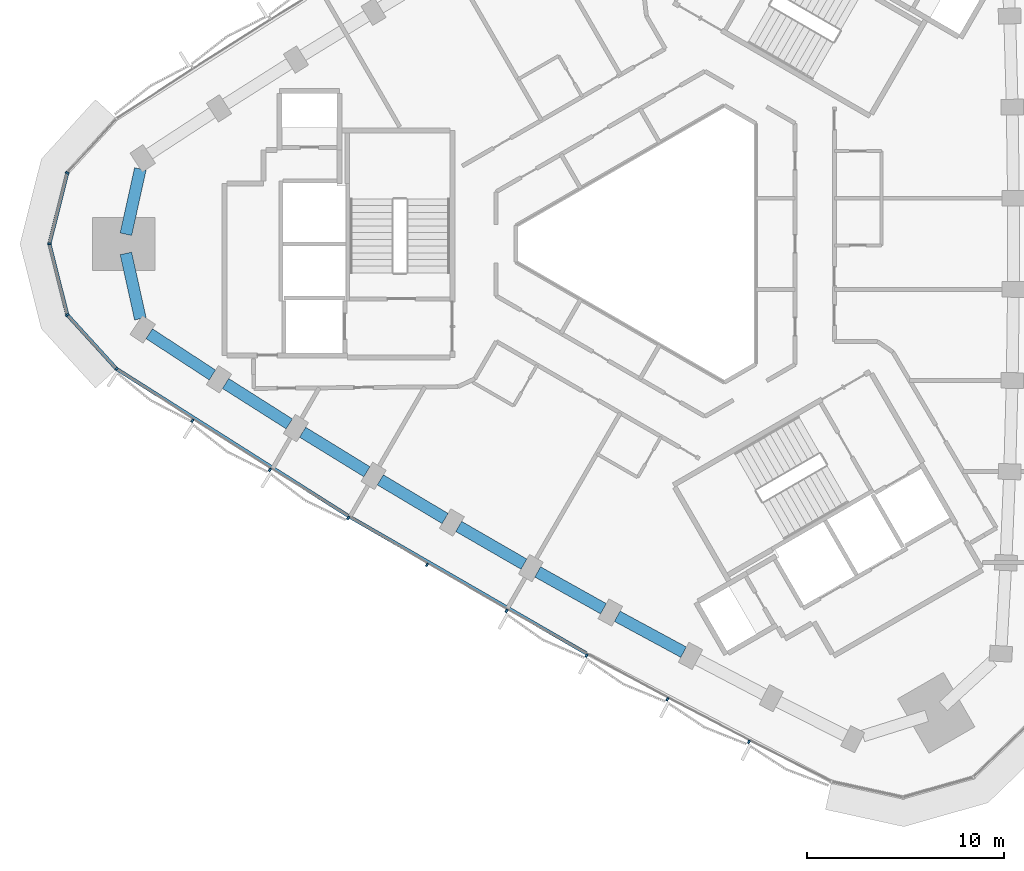
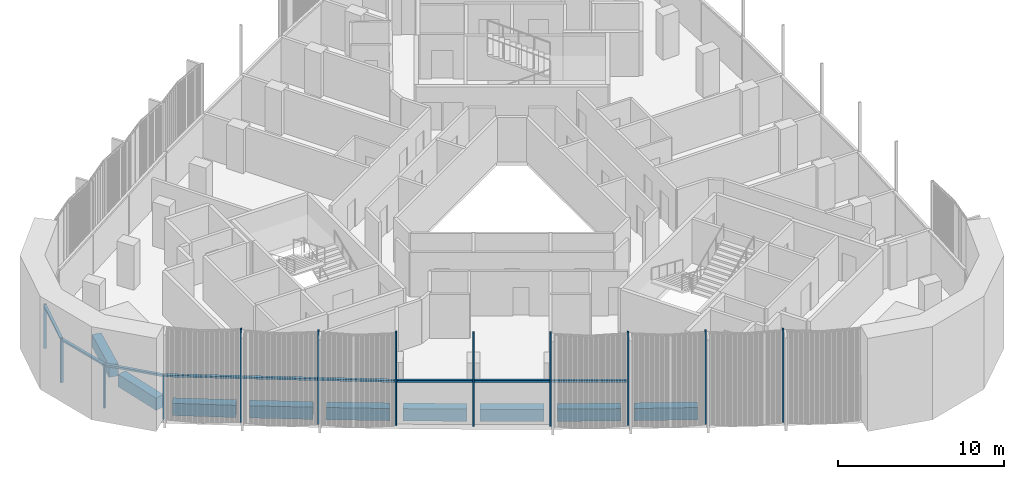
# One storey, part 2 of 14: 17 members, 9 beams, 2 elements without a shape of their own.
"""IFC4 building model written with IfcOpenShell, lengths in metres."""

from ifc_helpers import new_model, si_unit, direction, frame, origin, origin_2d, place, context, subcontext, project, spatial, rectangle, extrude, material, material_profile, profile_set, type_object, element, aggregate, save


model = new_model("IFC4")

# Units and contexts
model_context = context("Model", 3, precision=1e-05, world=origin(), true_north=direction((0.0, 1.0)))
body_context = subcontext(model_context, "Body", "Model", "MODEL_VIEW")
ifc_project = project(units=[si_unit("LENGTHUNIT", "METRE"), si_unit("AREAUNIT", "SQUARE_METRE"), si_unit("VOLUMEUNIT", "CUBIC_METRE"), si_unit("PLANEANGLEUNIT", "RADIAN"), si_unit("MASSUNIT", "GRAM", prefix="KILO")], contexts=[model_context])

# Site, building, storey
site_placement = place(None, origin())
site = spatial("IfcSite", under=ifc_project, at=site_placement, CompositionType="ELEMENT")
building_placement = place(site_placement, origin())
building = spatial("IfcBuilding", under=site, at=building_placement, Name="Tamra Quay Hotel Tower", CompositionType="ELEMENT")
storey_placement = place(building_placement, frame((0.0, 0.0, 197.199951171875)))
storey = spatial("IfcBuildingStorey", under=building, at=storey_placement, Name="L49", CompositionType="ELEMENT", Elevation=197.199951171875)

# Curtain wall, members
ifc_material_1 = material(Name="Aluminium 6063 anodised dark grey", Category="aluminium")
curtain_wall_type_1 = type_object("IfcCurtainWallType", Name="CW2 CURTAIN WALL", PredefinedType="NOTDEFINED", material=ifc_material_1)
curtain_wall_1_placement = place(storey_placement, origin())
curtain_wall_1 = element("IfcCurtainWall", 1, at=curtain_wall_1_placement, inside=storey, type_object=curtain_wall_type_1, Name="CW2 north-west face L49", PredefinedType="NOTDEFINED")
ifc_material_profile_1 = material_profile(ifc_material_1, rectangle(XDim=0.179931640625, YDim=0.10009765625, at=origin_2d()), Name="MULLION 100X180")
ifc_profile_set_1 = profile_set([ifc_material_profile_1], Name="Aluminium 6063 anodised dark grey")
member_type_1 = type_object("IfcMemberType", Name="MULLION CW2 Z4", PredefinedType="MULLION", material=ifc_profile_set_1)
member_1_placement = place(storey_placement, frame((-30.436767578125, 3.611328125, 0.0), z_axis=(0.0, 0.0, 1.0), x_axis=(-0.881097509676, 0.472934645002, 0.0)))
member_1 = element("IfcMember", 2, at=member_1_placement, type_object=member_type_1, Name="CW2 mullion L49.NW.11", PredefinedType="MULLION", context=body_context, shape_type="SweptSolid", body=[
    extrude(rectangle(XDim=0.179931640625, YDim=0.10009765625, at=origin_2d()), origin(), (0.0, 0.0, 1.0), 3.25),
])
member_2_placement = place(storey_placement, frame((-31.3447265625, 0.0, 0.0), z_axis=(0.0, 0.0, 1.0), x_axis=(-1.0, 0.0, 0.0)))
member_2 = element("IfcMember", 3, at=member_2_placement, type_object=member_type_1, Name="CW2 mullion L49.NW.12", PredefinedType="MULLION", context=body_context, shape_type="SweptSolid", body=[
    extrude(rectangle(XDim=0.179931640625, YDim=0.10009765625, at=origin_2d()), origin(), (0.0, 0.0, 1.0), 3.25),
])
member_3_placement = place(storey_placement, frame((-30.436767578125, -3.611328125, 0.0), z_axis=(0.0, 0.0, 1.0), x_axis=(-0.881097509676, -0.472934645002, 0.0)))
member_3 = element("IfcMember", 4, at=member_3_placement, type_object=member_type_1, Name="CW2 mullion L49.NW.13", PredefinedType="MULLION", context=body_context, shape_type="SweptSolid", body=[
    extrude(rectangle(XDim=0.179931640625, YDim=0.10009765625, at=origin_2d()), origin(), (0.0, 0.0, 1.0), 3.25),
])

curtain_wall_type_2 = type_object("IfcCurtainWallType", Name="CW3 CURTAIN WALL", PredefinedType="NOTDEFINED", material=ifc_material_1)
curtain_wall_2_placement = place(storey_placement, origin())
curtain_wall_2 = element("IfcCurtainWall", 5, at=curtain_wall_2_placement, inside=storey, type_object=curtain_wall_type_2, Name="CW3 south-west face L49", PredefinedType="NOTDEFINED")
ifc_material_profile_2 = material_profile(ifc_material_1, rectangle(XDim=0.179931640625, YDim=0.10009765625, at=origin_2d()), Name="MULLION 100X180")
ifc_profile_set_2 = profile_set([ifc_material_profile_2], Name="Aluminium 6063 anodised dark grey")
member_type_2 = type_object("IfcMemberType", Name="MULLION CW3 Z4", PredefinedType="MULLION", material=ifc_profile_set_2)
member_4_placement = place(storey_placement, frame((-27.928955078125, -6.36376953125, 0.0), z_axis=(0.0, 0.0, 1.0), x_axis=(-0.648381091282, -0.76131593998, 0.0)))
member_4 = element("IfcMember", 6, at=member_4_placement, type_object=member_type_2, Name="CW3 mullion L49.SW.1", PredefinedType="MULLION", context=body_context, shape_type="SweptSolid", body=[
    extrude(rectangle(XDim=0.179931640625, YDim=0.10009765625, at=origin_2d()), origin(), (0.0, 0.0, 1.0), 3.25),
])
member_5_placement = place(storey_placement, frame((-24.068603515625, -8.9951171875, 0.0), z_axis=(0.0, 0.0, 1.0), x_axis=(-0.541421307524, -0.840751430423, 0.0)))
member_5 = element("IfcMember", 7, at=member_5_placement, type_object=member_type_2, Name="CW3 mullion L49.SW.2", PredefinedType="MULLION", context=body_context, shape_type="SweptSolid", body=[
    extrude(rectangle(XDim=0.179931640625, YDim=0.10009765625, at=origin_2d()), origin(), (0.0, 0.0, 1.0), 6.85009765625),
])
member_6_placement = place(storey_placement, frame((-20.12255859375, -11.497802734375, 0.0), z_axis=(0.0, 0.0, 1.0), x_axis=(-0.529730620783, -0.848165944497, 0.0)))
member_6 = element("IfcMember", 8, at=member_6_placement, type_object=member_type_2, Name="CW3 mullion L49.SW.3", PredefinedType="MULLION", context=body_context, shape_type="SweptSolid", body=[
    extrude(rectangle(XDim=0.179931640625, YDim=0.10009765625, at=origin_2d()), origin(), (0.0, 0.0, 1.0), 6.85009765625),
])
member_7_placement = place(storey_placement, frame((-16.143798828125, -13.94482421875, 0.0), z_axis=(0.0, 0.0, 1.0), x_axis=(-0.517922719325, -0.85542741177, 0.0)))
member_7 = element("IfcMember", 9, at=member_7_placement, type_object=member_type_2, Name="CW3 mullion L49.SW.4", PredefinedType="MULLION", context=body_context, shape_type="SweptSolid", body=[
    extrude(rectangle(XDim=0.179931640625, YDim=0.10009765625, at=origin_2d()), origin(), (0.0, 0.0, 1.0), 6.85009765625),
])
member_8_placement = place(storey_placement, frame((-12.1298828125, -16.3369140625, 0.0), z_axis=(0.0, 0.0, 1.0), x_axis=(-0.506001107293, -0.862532828023, 0.0)))
member_8 = element("IfcMember", 10, at=member_8_placement, type_object=member_type_2, Name="CW3 mullion L49.SW.5", PredefinedType="MULLION", context=body_context, shape_type="SweptSolid", body=[
    extrude(rectangle(XDim=0.179931640625, YDim=0.10009765625, at=origin_2d()), origin(), (0.0, 0.0, 1.0), 6.85009765625),
])
member_9_placement = place(storey_placement, frame((-8.083251953125, -18.67333984375, 0.0), z_axis=(0.0, 0.0, 1.0), x_axis=(-0.49397478702, -0.869476227271, 0.0)))
member_9 = element("IfcMember", 11, at=member_9_placement, type_object=member_type_2, Name="CW3 mullion L49.SW.6", PredefinedType="MULLION", context=body_context, shape_type="SweptSolid", body=[
    extrude(rectangle(XDim=0.179931640625, YDim=0.10009765625, at=origin_2d()), origin(), (0.0, 0.0, 1.0), 6.85009765625),
])
member_10_placement = place(storey_placement, frame((-4.004638671875, -20.953369140625, 0.0), z_axis=(0.0, 0.0, 1.0), x_axis=(-0.481860510023, -0.876247938017, 0.0)))
member_10 = element("IfcMember", 12, at=member_10_placement, type_object=member_type_2, Name="CW3 mullion L49.SW.7", PredefinedType="MULLION", context=body_context, shape_type="SweptSolid", body=[
    extrude(rectangle(XDim=0.179931640625, YDim=0.10009765625, at=origin_2d()), origin(), (0.0, 0.0, 1.0), 6.85009765625),
])
member_11_placement = place(storey_placement, frame((0.10400390625, -23.175537109375, 0.0), z_axis=(0.0, 0.0, 1.0), x_axis=(-0.469667944168, -0.882843147009, 0.0)))
member_11 = element("IfcMember", 13, at=member_11_placement, type_object=member_type_2, Name="CW3 mullion L49.SW.8", PredefinedType="MULLION", context=body_context, shape_type="SweptSolid", body=[
    extrude(rectangle(XDim=0.179931640625, YDim=0.10009765625, at=origin_2d()), origin(), (0.0, 0.0, 1.0), 6.85009765625),
])
member_12_placement = place(storey_placement, frame((4.244140625, -25.341552734375, 0.0), z_axis=(0.0, 0.0, 1.0), x_axis=(-0.457401443253, -0.889260321678, 0.0)))
member_12 = element("IfcMember", 14, at=member_12_placement, type_object=member_type_2, Name="CW3 mullion L49.SW.9", PredefinedType="MULLION", context=body_context, shape_type="SweptSolid", body=[
    extrude(rectangle(XDim=0.179931640625, YDim=0.10009765625, at=origin_2d()), origin(), (0.0, 0.0, 1.0), 6.85009765625),
])

# Beams
ifc_material_2 = material(Name="Concrete M60", Category="concrete")
ifc_material_profile_3 = material_profile(ifc_material_2, rectangle(XDim=0.60009765625, YDim=0.89990234375, at=origin_2d()), Name="SPANDREL BEAM RC 600x900")
ifc_profile_set_3 = profile_set([ifc_material_profile_3], Name="Concrete M60")
beam_type = type_object("IfcBeamType", Name="SPANDREL BEAM RC 600x900", PredefinedType="SPANDREL", material=ifc_profile_set_3)
for number, where, z_axis, x_axis, name in (
    (15, (-26.716552734375, 3.811767578125, -0.800048828125), (-0.215798858353, -0.976437838643, 0.0), (0.976437838643, -0.215798858353, 0.0), "BM-SP4-020-L49"),
    (16, (-27.451171875, -0.48779296875, -0.800048828125), (0.215798858353, -0.976437838643, 0.0), (0.976437838643, 0.215798858353, 0.0), "BM-SP4-021-L49"),
):
    element("IfcBeam", number, at=place(storey_placement, frame(where, z_axis=z_axis, x_axis=x_axis)), inside=storey, type_object=beam_type, Name=name, PredefinedType="SPANDREL", context=body_context, shape_type="SweptSolid", body=[
        extrude(rectangle(XDim=0.60009765625, YDim=0.89990234375, at=origin_2d()), origin(), (0.0, 0.0, 1.0), 3.404296875),
    ])
for number, where, z_axis, x_axis, name in (
    (17, (-26.26171875, -4.573486328125, -0.800048828125), (0.836969613974, -0.547249362983, 0.0), (0.547249362983, 0.836969613974, 0.0), "BM-SP4-022-L49"),
    (18, (-22.377197265625, -7.106689453125, -0.800048828125), (0.844469978785, -0.535602889211, 0.0), (0.535602889211, 0.844469978785, 0.0), "BM-SP4-023-L49"),
):
    element("IfcBeam", number, at=place(storey_placement, frame(where, z_axis=z_axis, x_axis=x_axis)), inside=storey, type_object=beam_type, Name=name, PredefinedType="SPANDREL", context=body_context, shape_type="SweptSolid", body=[
        extrude(rectangle(XDim=0.60009765625, YDim=0.89990234375, at=origin_2d()), origin(), (0.0, 0.0, 1.0), 3.837646484375),
    ])
beam_1_placement = place(storey_placement, frame((-18.4580078125, -9.585693359375, -0.800048828125), z_axis=(0.851817714835, -0.523838315411, 0.0), x_axis=(0.523838315411, 0.851817714835, 0.0)))
element("IfcBeam", 19, at=beam_1_placement, inside=storey, type_object=beam_type, Name="BM-SP4-024-L49", PredefinedType="SPANDREL", context=body_context, shape_type="SweptSolid", body=[
    extrude(rectangle(XDim=0.60009765625, YDim=0.89990234375, at=origin_2d()), origin(), (0.0, 0.0, 1.0), 3.837890625),
])
beam_2_placement = place(storey_placement, frame((-14.50439453125, -12.010498046875, -0.800048828125), z_axis=(0.858982487636, -0.512004966708, 0.0), x_axis=(0.512004966708, 0.858982487636, 0.0)))
element("IfcBeam", 20, at=beam_2_placement, inside=storey, type_object=beam_type, Name="BM-SP4-025-L49", PredefinedType="SPANDREL", context=body_context, shape_type="SweptSolid", body=[
    extrude(rectangle(XDim=0.60009765625, YDim=0.89990234375, at=origin_2d()), origin(), (0.0, 0.0, 1.0), 3.837646484375),
])
for number, where, z_axis, x_axis, name in (
    (21, (-10.517822265625, -14.380126953125, -0.800048828125), (0.866022424722, -0.500005159851, 0.0), (0.500005159851, 0.866022424722, 0.0), "BM-SP4-026-L49"),
    (22, (-6.4990234375, -16.694091796875, -0.800048828125), (0.872890885292, -0.487915466422, 0.0), (0.487915466422, 0.872890885292, 0.0), "BM-SP4-027-L49"),
):
    element("IfcBeam", number, at=place(storey_placement, frame(where, z_axis=z_axis, x_axis=x_axis)), inside=storey, type_object=beam_type, Name=name, PredefinedType="SPANDREL", context=body_context, shape_type="SweptSolid", body=[
        extrude(rectangle(XDim=0.60009765625, YDim=0.89990234375, at=origin_2d()), origin(), (0.0, 0.0, 1.0), 3.83740234375),
    ])
beam_3_placement = place(storey_placement, frame((-2.448486328125, -18.951904296875, -0.800048828125), z_axis=(0.879589264525, -0.475733881211, 0.0), x_axis=(0.475733881211, 0.879589264525, 0.0)))
element("IfcBeam", 23, at=beam_3_placement, inside=storey, type_object=beam_type, Name="BM-SP4-028-L49", PredefinedType="SPANDREL", context=body_context, shape_type="SweptSolid", body=[
    extrude(rectangle(XDim=0.60009765625, YDim=0.89990234375, at=origin_2d()), origin(), (0.0, 0.0, 1.0), 3.838134765625),
])

# Member
ifc_material_profile_4 = material_profile(ifc_material_1, rectangle(XDim=0.179931640625, YDim=0.139892578125, at=origin_2d()), Name="TRANSOM 180X140")
ifc_profile_set_4 = profile_set([ifc_material_profile_4], Name="Aluminium 6063 anodised dark grey")
member_type_3 = type_object("IfcMemberType", Name="TRANSOM CW2 Z4", PredefinedType="USERDEFINED", material=ifc_profile_set_4)
member_13_placement = place(storey_placement, frame((-30.448974609375, 3.562744140625, 3.179931640625), z_axis=(-0.243835376469, -0.969816636887, 0.0), x_axis=(0.969816636887, -0.243835376469, 0.0)))
member_13 = element("IfcMember", 24, at=member_13_placement, type_object=member_type_3, Name="CW2 transom L49.NW.11", ObjectType="TRANSOM", PredefinedType="USERDEFINED", context=body_context, shape_type="SweptSolid", body=[
    extrude(rectangle(XDim=0.179931640625, YDim=0.139892578125, at=origin_2d()), origin(), (0.0, 0.0, 1.0), 3.62353515625),
])

member_14_placement = place(storey_placement, frame((-31.33251953125, -0.048583984375, 3.179931640625), z_axis=(0.243835376469, -0.969816636887, 0.0), x_axis=(0.969816636887, 0.243835376469, 0.0)))
member_14 = element("IfcMember", 25, at=member_14_placement, type_object=member_type_3, Name="CW2 transom L49.NW.12", ObjectType="TRANSOM", PredefinedType="USERDEFINED", context=body_context, shape_type="SweptSolid", body=[
    extrude(rectangle(XDim=0.179931640625, YDim=0.139892578125, at=origin_2d()), origin(), (0.0, 0.0, 1.0), 3.62353515625),
])

member_15_placement = place(storey_placement, frame((-30.403076171875, -3.648193359375, 3.179931640625), z_axis=(0.673497359226, -0.739189628658, 0.0), x_axis=(0.739189628658, 0.673497359226, 0.0)))
member_15 = element("IfcMember", 26, at=member_15_placement, type_object=member_type_3, Name="CW2 transom L49.NW.13", ObjectType="TRANSOM", PredefinedType="USERDEFINED", context=body_context, shape_type="SweptSolid", body=[
    extrude(rectangle(XDim=0.179931640625, YDim=0.139892578125, at=origin_2d()), origin(), (0.0, 0.0, 1.0), 3.62353515625),
])

aggregate(curtain_wall_1, [member_1, member_13, member_2, member_14, member_3, member_15])

ifc_material_profile_5 = material_profile(ifc_material_1, rectangle(XDim=0.179931640625, YDim=0.139892578125, at=origin_2d()), Name="TRANSOM 180X140")
ifc_profile_set_5 = profile_set([ifc_material_profile_5], Name="Aluminium 6063 anodised dark grey")
member_type_4 = type_object("IfcMemberType", Name="TRANSOM CW3 Z4", PredefinedType="USERDEFINED", material=ifc_profile_set_5)
member_16_placement = place(storey_placement, frame((-27.88720703125, -6.39111328125, 3.179931640625), z_axis=(0.844483603588, -0.535581406764, 0.0), x_axis=(0.535581406764, 0.844483603588, 0.0)))
member_16 = element("IfcMember", 27, at=member_16_placement, type_object=member_type_4, Name="CW3 transom L49.SW.1", ObjectType="TRANSOM", PredefinedType="USERDEFINED", context=body_context, shape_type="SweptSolid", body=[
    extrude(rectangle(XDim=0.179931640625, YDim=0.139892578125, at=origin_2d()), origin(), (0.0, 0.0, 1.0), 13.910888671875),
])

member_17_placement = place(storey_placement, frame((-16.05419921875, -13.893310546875, 3.179931640625), z_axis=(0.866021948021, -0.50000598551, 0.0), x_axis=(0.50000598551, 0.866021948021, 0.0)))
member_17 = element("IfcMember", 28, at=member_17_placement, type_object=member_type_4, Name="CW3 transom L49.SW.4", ObjectType="TRANSOM", PredefinedType="USERDEFINED", context=body_context, shape_type="SweptSolid", body=[
    extrude(rectangle(XDim=0.179931640625, YDim=0.139892578125, at=origin_2d()), origin(), (0.0, 0.0, 1.0), 13.913330078125),
])

aggregate(curtain_wall_2, [member_4, member_16, member_5, member_6, member_7, member_17, member_8, member_9, member_10, member_11, member_12])

save(model, "model.ifc")
